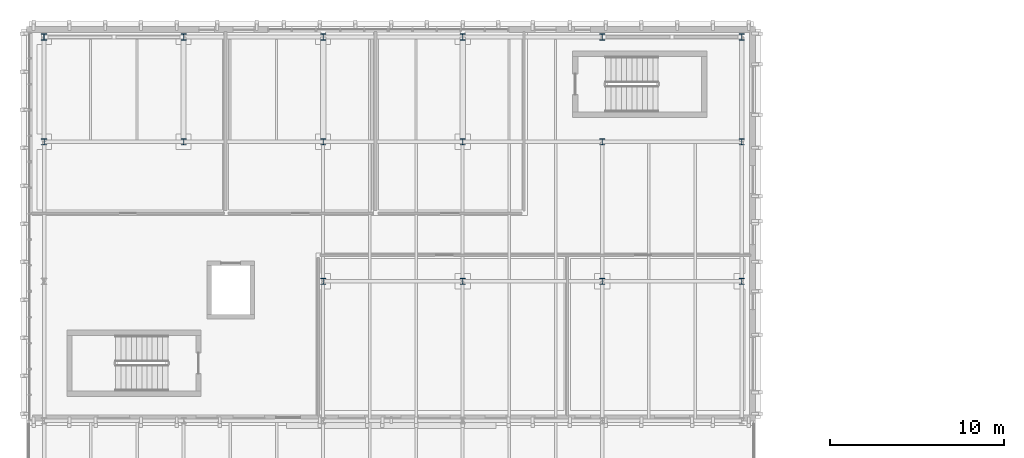
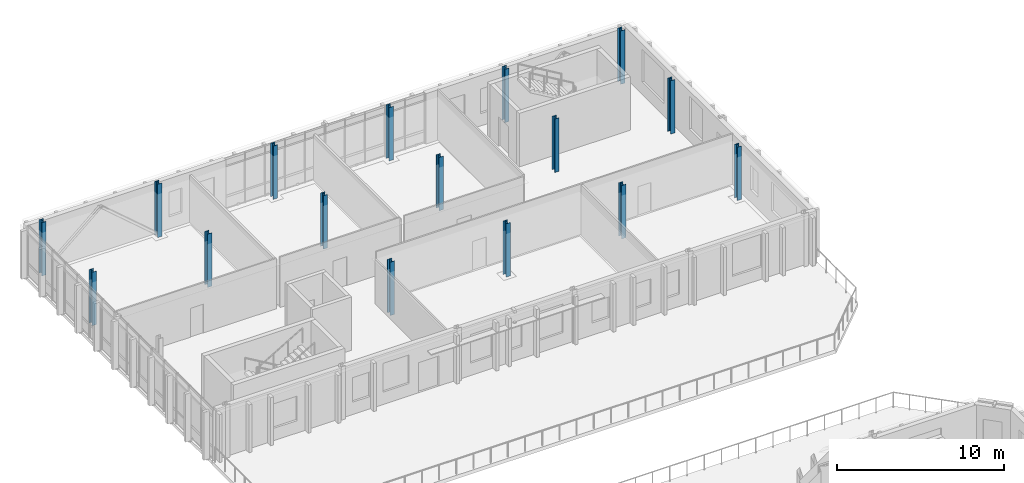
# One storey, part 4 of 43: 16 columns.
"""IFC4 building model written with IfcOpenShell, lengths in metres."""

from ifc_helpers import new_model, si_unit, direction, frame, origin, origin_2d, place, context, subcontext, project, spatial, i_section, extrude, material, material_profile, profile_set, type_object, element, save


model = new_model("IFC4")

# Units and contexts
model_context = context("Model", 3, precision=1e-05, world=origin(), true_north=direction((0.0, 1.0)))
body_context = subcontext(model_context, "Body", "Model", "MODEL_VIEW")
ifc_project = project(units=[si_unit("LENGTHUNIT", "METRE"), si_unit("AREAUNIT", "SQUARE_METRE"), si_unit("VOLUMEUNIT", "CUBIC_METRE"), si_unit("PLANEANGLEUNIT", "RADIAN"), si_unit("MASSUNIT", "GRAM", prefix="KILO")], contexts=[model_context])

# Site, building, storey
site_placement = place(None, origin())
site = spatial("IfcSite", under=ifc_project, at=site_placement, CompositionType="ELEMENT")
building_placement = place(site_placement, origin())
building = spatial("IfcBuilding", under=site, at=building_placement, Name="Cymarion Research Institute", CompositionType="ELEMENT")
storey_placement = place(building_placement, frame((0.0, 0.0, 22.800048828125)))
storey = spatial("IfcBuildingStorey", under=building, at=storey_placement, Name="L05", CompositionType="ELEMENT", Elevation=22.800048828125)

# Columns
ifc_material = material(Name="Steel S355", Category="steel")
ifc_material_profile_1 = material_profile(ifc_material, i_section(OverallWidth=0.300048828125, OverallDepth=0.360107421875, WebThickness=0.012451171875, FlangeThickness=0.0224609375, FilletRadius=0.027099609375, at=origin_2d()), Name="HEB 360")
ifc_profile_set_1 = profile_set([ifc_material_profile_1], Name="Steel S355")
column_type_1 = type_object("IfcColumnType", Name="STRUCTURAL COLUMN C07 HEB 360", PredefinedType="COLUMN", material=ifc_profile_set_1)
for number, where, z_axis, x_axis, name in (
    (1, (6.60009765625, 115.5, 0.0), (0.0, 0.0, 1.0), (1.0, 0.0, 0.0), "L05 V5 column C07 #1110"),
    (2, (14.60009765625, 115.5, 0.0), (0.0, 0.0, 1.0), (1.0, 0.0, 0.0), "L05 V5 column C07 #1117"),
    (3, (22.60009765625, 101.5, 0.0), (0.0, 0.0, 1.0), (1.0, 0.0, 0.0), "L05 V5 column C07 #1123"),
    (4, (22.60009765625, 115.5, 0.0), (0.0, 0.0, 1.0), (1.0, 0.0, 0.0), "L05 V5 column C07 #1125"),
    (5, (30.60009765625, 101.5, 0.0), (0.0, 0.0, 1.0), (1.0, 0.0, 0.0), "L05 V5 column C07 #1131"),
    (6, (30.60009765625, 115.5, 0.0), (0.0, 0.0, 1.0), (1.0, 0.0, 0.0), "L05 V5 column C07 #1133"),
    (7, (38.60009765625, 101.5, 0.0), (0.0, 0.0, 1.0), (1.0, 0.0, 0.0), "L05 V5 column C07 #1138"),
    (8, (38.60009765625, 115.5, 0.0), (0.0, 0.0, 1.0), (1.0, 0.0, 0.0), "L05 V5 column C07 #1140"),
    (9, (46.60009765625, 101.5, 0.0), (0.0, 0.0, 1.0), (1.0, 0.0, 0.0), "L05 V5 column C07 #1145"),
    (10, (46.60009765625, 115.5, 0.0), (0.0, 0.0, 1.0), (1.0, 0.0, 0.0), "L05 V5 column C07 #1147"),
):
    element("IfcColumn", number, at=place(storey_placement, frame(where, z_axis=z_axis, x_axis=x_axis)), inside=storey, type_object=column_type_1, Name=name, PredefinedType="COLUMN", context=body_context, shape_type="SweptSolid", body=[
        extrude(i_section(OverallWidth=0.300048828125, OverallDepth=0.360107421875, WebThickness=0.012451171875, FlangeThickness=0.0224609375, FilletRadius=0.027099609375, at=origin_2d()), origin(), (0.0, 0.0, 1.0), 3.89990234375),
    ])
ifc_material_profile_2 = material_profile(ifc_material, i_section(OverallWidth=0.300048828125, OverallDepth=0.35009765625, WebThickness=0.010009765625, FlangeThickness=0.017578125, FilletRadius=0.027099609375, at=origin_2d()), Name="HEA 360")
ifc_profile_set_2 = profile_set([ifc_material_profile_2], Name="Steel S355")
column_type_2 = type_object("IfcColumnType", Name="STRUCTURAL COLUMN C12 HEA 360", PredefinedType="COLUMN", material=ifc_profile_set_2)
for number, where, z_axis, x_axis, name in (
    (11, (6.60009765625, 109.5, 0.0), (0.0, 0.0, 1.0), (1.0, 0.0, 0.0), "L05 V5 column C12 #1109"),
    (12, (14.60009765625, 109.5, 0.0), (0.0, 0.0, 1.0), (1.0, 0.0, 0.0), "L05 V5 column C12 #1116"),
    (13, (22.60009765625, 109.5, 0.0), (0.0, 0.0, 1.0), (1.0, 0.0, 0.0), "L05 V5 column C12 #1124"),
    (14, (30.60009765625, 109.5, 0.0), (0.0, 0.0, 1.0), (1.0, 0.0, 0.0), "L05 V5 column C12 #1132"),
    (15, (38.60009765625, 109.5, 0.0), (0.0, 0.0, 1.0), (1.0, 0.0, 0.0), "L05 V5 column C12 #1139"),
    (16, (46.60009765625, 109.5, 0.0), (0.0, 0.0, 1.0), (1.0, 0.0, 0.0), "L05 V5 column C12 #1146"),
):
    element("IfcColumn", number, at=place(storey_placement, frame(where, z_axis=z_axis, x_axis=x_axis)), inside=storey, type_object=column_type_2, Name=name, PredefinedType="COLUMN", context=body_context, shape_type="SweptSolid", body=[
        extrude(i_section(OverallWidth=0.300048828125, OverallDepth=0.35009765625, WebThickness=0.010009765625, FlangeThickness=0.017578125, FilletRadius=0.027099609375, at=origin_2d()), origin(), (0.0, 0.0, 1.0), 3.89990234375),
    ])

save(model, "model.ifc")
